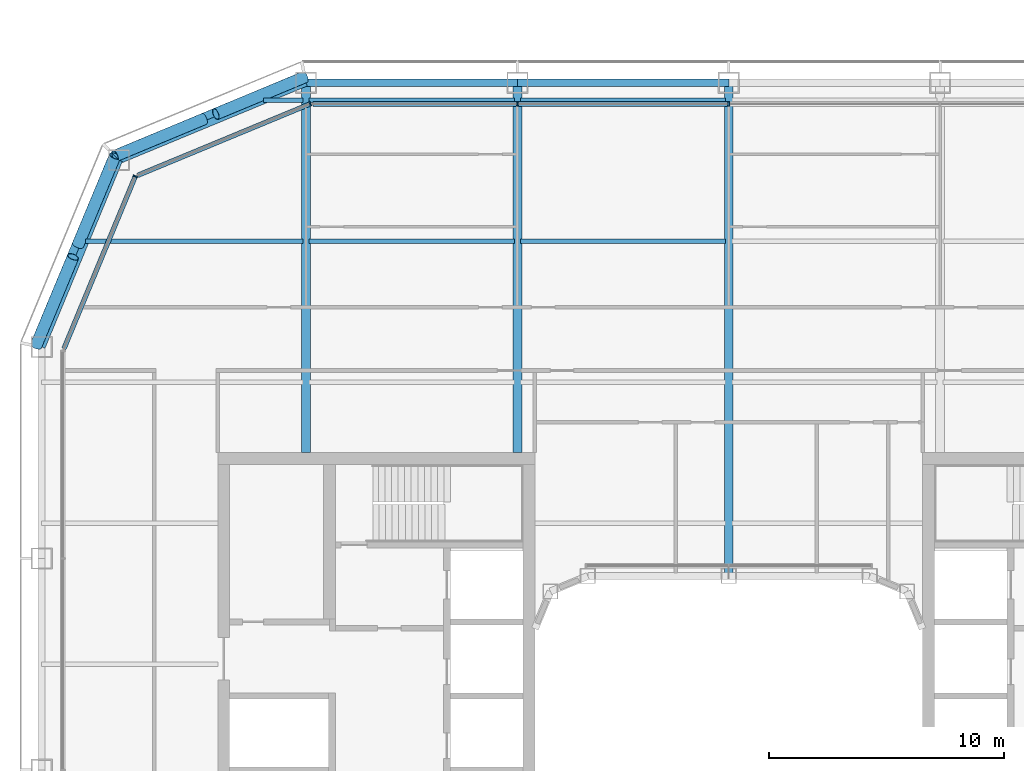
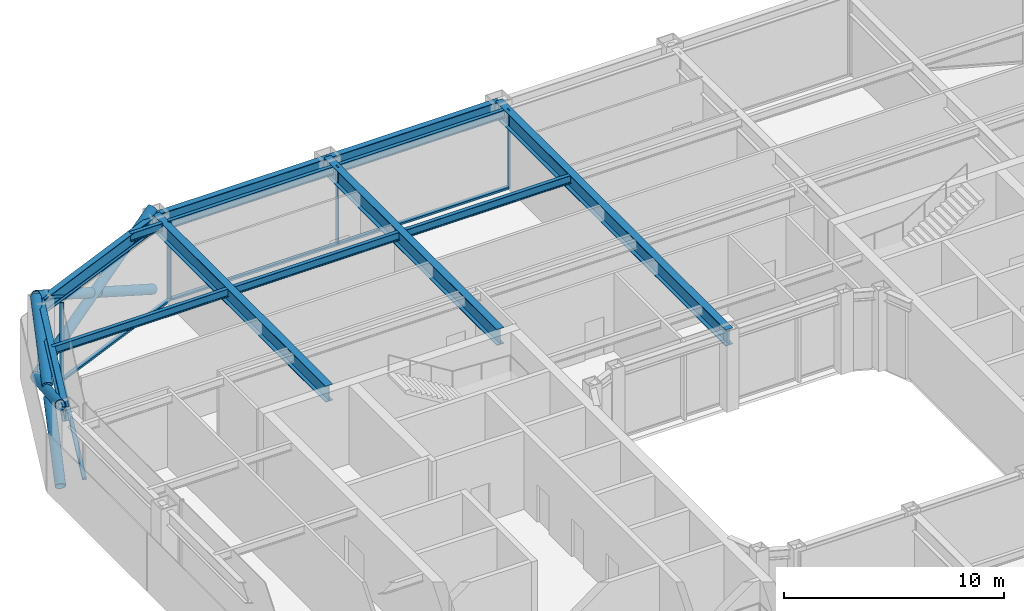
# One storey, part 7 of 24: 14 members, 13 beams, 3 elements without a shape of their own.
"""IFC4 building model written with IfcOpenShell, lengths in metres."""

from ifc_helpers import new_model, si_unit, direction, frame, origin, origin_2d, place, context, subcontext, project, spatial, rectangle, hollow_circle, i_section, extrude, material, layer, layer_set, material_profile, profile_set, type_object, element, aggregate, save


model = new_model("IFC4")

# Units and contexts
model_context = context("Model", 3, precision=1e-05, world=origin(), true_north=direction((0.0, 1.0)))
body_context = subcontext(model_context, "Body", "Model", "MODEL_VIEW")
ifc_project = project(units=[si_unit("LENGTHUNIT", "METRE"), si_unit("AREAUNIT", "SQUARE_METRE"), si_unit("VOLUMEUNIT", "CUBIC_METRE"), si_unit("PLANEANGLEUNIT", "RADIAN"), si_unit("MASSUNIT", "GRAM", prefix="KILO")], contexts=[model_context])

# Site, building, storey
site_placement = place(None, origin())
site = spatial("IfcSite", under=ifc_project, at=site_placement, CompositionType="ELEMENT")
building_placement = place(site_placement, origin())
building = spatial("IfcBuilding", under=site, at=building_placement, Name="Siwar Civic Tower", CompositionType="ELEMENT")
storey_placement = place(building_placement, frame((0.0, 0.0, 149.699951171875)))
storey = spatial("IfcBuildingStorey", under=building, at=storey_placement, Name="L32", CompositionType="ELEMENT", Elevation=149.699951171875)

# Curtain wall, members
ifc_material_1 = material(Name="Aluminium and glass", Category="aluminium")
ifc_layer_1 = layer(ifc_material_1, 0.199951171875)
ifc_layer_set_1 = layer_set([ifc_layer_1], Name="Aluminium and glass")
curtain_wall_type_1 = type_object("IfcCurtainWallType", Name="ENV-CW-B", PredefinedType="NOTDEFINED", material=ifc_layer_set_1)
curtain_wall_1_placement = place(storey_placement, origin())
curtain_wall_1 = element("IfcCurtainWall", 1, at=curtain_wall_1_placement, inside=storey, type_object=curtain_wall_type_1, Name="Curtain wall B N", PredefinedType="NOTDEFINED")
ifc_material_2 = material(Name="Aluminium 6063-T6", Category="aluminium")
ifc_material_profile_1 = material_profile(ifc_material_2, rectangle(XDim=0.199951171875, YDim=0.06494140625, at=origin_2d()), Name="AL 200x65")
ifc_profile_set_1 = profile_set([ifc_material_profile_1], Name="Aluminium 6063-T6")
member_type_1 = type_object("IfcMemberType", Name="ENV-MULLION-B", PredefinedType="MULLION", material=ifc_profile_set_1)
member_1_placement = place(storey_placement, frame((0.0, 28.35009765625, 0.0), z_axis=(0.0, 0.0, 1.0), x_axis=(0.0, -1.0, 0.0)))
member_1 = element("IfcMember", 2, at=member_1_placement, type_object=member_type_1, Name="Mullion B N 3", PredefinedType="MULLION", context=body_context, shape_type="SweptSolid", body=[
    extrude(rectangle(XDim=0.199951171875, YDim=0.06494140625, at=origin_2d()), origin(), (0.0, 0.0, 1.0), 4.35009765625),
])
member_2_placement = place(storey_placement, frame((-9.0, 28.35009765625, 0.0), z_axis=(0.0, 0.0, 1.0), x_axis=(0.0, -1.0, 0.0)))
member_2 = element("IfcMember", 3, at=member_2_placement, type_object=member_type_1, Name="Mullion B N 4", PredefinedType="MULLION", context=body_context, shape_type="SweptSolid", body=[
    extrude(rectangle(XDim=0.199951171875, YDim=0.06494140625, at=origin_2d()), origin(), (0.0, 0.0, 1.0), 4.35009765625),
])

# Curtain wall, member
ifc_material_3 = material(Name="Aluminium clad insulated panel", Category="aluminium")
ifc_layer_2 = layer(ifc_material_3, 0.199951171875)
ifc_layer_set_2 = layer_set([ifc_layer_2], Name="Aluminium clad insulated panel")
curtain_wall_type_2 = type_object("IfcCurtainWallType", Name="ENV-CW-BX", PredefinedType="NOTDEFINED", material=ifc_layer_set_2)
curtain_wall_2_placement = place(storey_placement, origin())
curtain_wall_2 = element("IfcCurtainWall", 4, at=curtain_wall_2_placement, inside=storey, type_object=curtain_wall_type_2, Name="Curtain wall B NW1", PredefinedType="NOTDEFINED")
member_3_placement = place(storey_placement, frame((-17.821044921875, 28.35009765625, 0.0), z_axis=(0.0, 0.0, 1.0), x_axis=(0.382683432365, -0.923879532511, 0.0)))
member_3 = element("IfcMember", 5, at=member_3_placement, type_object=member_type_1, Name="Mullion B NW1 1", PredefinedType="MULLION", context=body_context, shape_type="SweptSolid", body=[
    extrude(rectangle(XDim=0.199951171875, YDim=0.06494140625, at=origin_2d()), origin(), (0.0, 0.0, 1.0), 4.35009765625),
])

curtain_wall_3_placement = place(storey_placement, origin())
curtain_wall_3 = element("IfcCurtainWall", 6, at=curtain_wall_3_placement, inside=storey, type_object=curtain_wall_type_2, Name="Curtain wall B NW2", PredefinedType="NOTDEFINED")
member_4_placement = place(storey_placement, frame((-25.26611328125, 25.26611328125, 0.0), z_axis=(0.0, 0.0, 1.0), x_axis=(0.923879532511, -0.382683432365, 0.0)))
member_4 = element("IfcMember", 7, at=member_4_placement, type_object=member_type_1, Name="Mullion B NW2 1", PredefinedType="MULLION", context=body_context, shape_type="SweptSolid", body=[
    extrude(rectangle(XDim=0.199951171875, YDim=0.06494140625, at=origin_2d()), origin(), (0.0, 0.0, 1.0), 4.35009765625),
])

# Member
ifc_material_4 = material(Name="Aluminium 6063-T6", Category="aluminium")
ifc_material_profile_2 = material_profile(ifc_material_4, rectangle(XDim=0.199951171875, YDim=0.110107421875, at=origin_2d()), Name="AL 200x110")
ifc_profile_set_2 = profile_set([ifc_material_profile_2], Name="Aluminium 6063-T6")
member_type_2 = type_object("IfcMemberType", Name="ENV-TRANSOM-B", PredefinedType="USERDEFINED", material=ifc_profile_set_2)
member_5_placement = place(storey_placement, frame((-0.032470703125, 28.35009765625, 0.054931640625), z_axis=(-1.0, 0.0, 0.0), x_axis=(0.0, -1.0, 0.0)))
member_5 = element("IfcMember", 8, at=member_5_placement, type_object=member_type_2, Name="Transom B N 3", ObjectType="TRANSOM", PredefinedType="USERDEFINED", context=body_context, shape_type="SweptSolid", body=[
    extrude(rectangle(XDim=0.199951171875, YDim=0.110107421875, at=origin_2d()), origin(), (0.0, 0.0, 1.0), 8.93505859375),
])

member_6_placement = place(storey_placement, frame((-9.032470703125, 28.35009765625, 0.054931640625), z_axis=(-1.0, 0.0, 0.0), x_axis=(0.0, -1.0, 0.0)))
member_6 = element("IfcMember", 9, at=member_6_placement, type_object=member_type_2, Name="Transom B N 4", ObjectType="TRANSOM", PredefinedType="USERDEFINED", context=body_context, shape_type="SweptSolid", body=[
    extrude(rectangle(XDim=0.199951171875, YDim=0.110107421875, at=origin_2d()), origin(), (0.0, 0.0, 1.0), 8.6748046875),
])

aggregate(curtain_wall_1, [member_1, member_2, member_5, member_6])

member_7_placement = place(storey_placement, frame((-17.85107421875, 28.337646484375, 0.054931640625), z_axis=(-0.92387279587, -0.382699695651, 0.0), x_axis=(0.382699695651, -0.92387279587, 0.0)))
member_7 = element("IfcMember", 10, at=member_7_placement, type_object=member_type_2, Name="Transom B NW1 1", ObjectType="TRANSOM", PredefinedType="USERDEFINED", context=body_context, shape_type="SweptSolid", body=[
    extrude(rectangle(XDim=0.199951171875, YDim=0.110107421875, at=origin_2d()), origin(), (0.0, 0.0, 1.0), 7.912353515625),
])

aggregate(curtain_wall_2, [member_3, member_7])

member_8_placement = place(storey_placement, frame((-25.278564453125, 25.236083984375, 0.054931640625), z_axis=(-0.382673358825, -0.923883705044, 0.0), x_axis=(0.923883705044, -0.382673358825, 0.0)))
member_8 = element("IfcMember", 11, at=member_8_placement, type_object=member_type_2, Name="Transom B NW2 1", ObjectType="TRANSOM", PredefinedType="USERDEFINED", context=body_context, shape_type="SweptSolid", body=[
    extrude(rectangle(XDim=0.199951171875, YDim=0.110107421875, at=origin_2d()), origin(), (0.0, 0.0, 1.0), 7.912353515625),
])

aggregate(curtain_wall_3, [member_4, member_8])

# Members
ifc_material_5 = material(Name="Steel S355", Category="steel")
ifc_material_profile_3 = material_profile(ifc_material_5, hollow_circle(Radius=0.25390625, WallThickness=0.02490234375, at=origin_2d()), Name="CHS508x25")
ifc_profile_set_3 = profile_set([ifc_material_profile_3], Name="Steel S355")
member_type_3 = type_object("IfcMemberType", Name="STR-BR-CHS508x25", PredefinedType="BRACE", material=ifc_profile_set_3)
member_9_placement = place(storey_placement, frame((-26.1318359375, 26.1318359375, 0.0), z_axis=(-0.341671493852, -0.821142553604, 0.457149315816), x_axis=(0.923264922524, -0.384163874976, 0.0)))
element("IfcMember", 12, at=member_9_placement, inside=storey, type_object=member_type_3, Name="L32/brc/BNW1-11-0-1", PredefinedType="BRACE", context=body_context, shape_type="SweptSolid", body=[
    extrude(hollow_circle(Radius=0.25390625, WallThickness=0.02490234375, at=origin_2d()), origin(), (0.0, 0.0, 1.0), 9.843505859375),
])
for number, where, z_axis, x_axis, name in (
    (13, (-29.4951171875, 18.048828125, 0.0), (0.341677318012, 0.821126041429, 0.457174621391), (-0.923259859753, 0.384176042158, 0.0), "L32/brc/BNW1-11-0-2"),
    (14, (-27.70849609375, 22.342529296875, 2.390625), (0.341670737976, 0.821163134736, 0.457112910516), (-0.923268638995, 0.384154943021, 0.0), "L32/brc/BNW1-11-0-3"),
):
    element("IfcMember", number, at=place(storey_placement, frame(where, z_axis=z_axis, x_axis=x_axis)), inside=storey, type_object=member_type_3, Name=name, PredefinedType="BRACE", context=body_context, shape_type="SweptSolid", body=[
        extrude(hollow_circle(Radius=0.25390625, WallThickness=0.02490234375, at=origin_2d()), origin(), (0.0, 0.0, 1.0), 4.614501953125),
    ])
member_10_placement = place(storey_placement, frame((-26.1318359375, 26.1318359375, 0.0), z_axis=(0.821142553604, 0.341671493852, 0.457149315816), x_axis=(-0.384163874976, 0.923264922524, 0.0)))
element("IfcMember", 15, at=member_10_placement, inside=storey, type_object=member_type_3, Name="L32/brc/BNW1-11-0-0", PredefinedType="BRACE", context=body_context, shape_type="SweptSolid", body=[
    extrude(hollow_circle(Radius=0.25390625, WallThickness=0.02490234375, at=origin_2d()), origin(), (0.0, 0.0, 1.0), 9.843505859375),
])
for number, where, z_axis, x_axis, name in (
    (16, (-18.048828125, 29.4951171875, 0.0), (-0.821126041429, -0.341677318012, 0.457174621391), (0.384176042158, -0.923259859753, 0.0), "L32/brc/BNW1-11-0-4"),
    (17, (-22.342529296875, 27.70849609375, 2.390625), (-0.821163134736, -0.341670737976, 0.457112910516), (0.384154943021, -0.923268638995, 0.0), "L32/brc/BNW1-11-0-5"),
):
    element("IfcMember", number, at=place(storey_placement, frame(where, z_axis=z_axis, x_axis=x_axis)), inside=storey, type_object=member_type_3, Name=name, PredefinedType="BRACE", context=body_context, shape_type="SweptSolid", body=[
        extrude(hollow_circle(Radius=0.25390625, WallThickness=0.02490234375, at=origin_2d()), origin(), (0.0, 0.0, 1.0), 4.614501953125),
    ])

# Beams
ifc_material_6 = material(Name="Steel S355", Category="steel")
ifc_material_profile_4 = material_profile(ifc_material_6, i_section(OverallWidth=0.18994140625, OverallDepth=0.449951171875, WebThickness=0.009521484375, FlangeThickness=0.0146484375, FilletRadius=0.02099609375, at=origin_2d()), Name="IPE450")
ifc_profile_set_4 = profile_set([ifc_material_profile_4], Name="Steel S355")
beam_type_1 = type_object("IfcBeamType", Name="STR-FB-IPE450", PredefinedType="JOIST", material=ifc_profile_set_4)
beam_1_placement = place(storey_placement, frame((-27.385986328125, 22.5, 4.125), z_axis=(1.0, 0.0, 0.0), x_axis=(0.0, 1.0, 0.0)))
element("IfcBeam", 18, at=beam_1_placement, inside=storey, type_object=beam_type_1, Name="L32/bm/F037", PredefinedType="JOIST", context=body_context, shape_type="SweptSolid", body=[
    extrude(i_section(OverallWidth=0.18994140625, OverallDepth=0.449951171875, WebThickness=0.009521484375, FlangeThickness=0.0146484375, FilletRadius=0.02099609375, at=origin_2d()), origin(), (0.0, 0.0, 1.0), 9.256103515625),
])
for number, where, z_axis, x_axis, name in (
    (19, (-17.8701171875, 22.5, 4.125), (1.0, 0.0, 0.0), (0.0, 1.0, 0.0), "L32/bm/F038"),
    (20, (-8.8701171875, 22.5, 4.125), (1.0, 0.0, 0.0), (0.0, 1.0, 0.0), "L32/bm/F039"),
):
    element("IfcBeam", number, at=place(storey_placement, frame(where, z_axis=z_axis, x_axis=x_axis)), inside=storey, type_object=beam_type_1, Name=name, PredefinedType="JOIST", context=body_context, shape_type="SweptSolid", body=[
        extrude(i_section(OverallWidth=0.18994140625, OverallDepth=0.449951171875, WebThickness=0.009521484375, FlangeThickness=0.0146484375, FilletRadius=0.02099609375, at=origin_2d()), origin(), (0.0, 0.0, 1.0), 8.740234375),
    ])
beam_2_placement = place(storey_placement, frame((-19.810546875, 28.5, 4.125), z_axis=(1.0, 0.0, 0.0), x_axis=(0.0, 1.0, 0.0)))
element("IfcBeam", 21, at=beam_2_placement, inside=storey, type_object=beam_type_1, Name="L32/bm/F043", PredefinedType="JOIST", context=body_context, shape_type="SweptSolid", body=[
    extrude(i_section(OverallWidth=0.18994140625, OverallDepth=0.449951171875, WebThickness=0.009521484375, FlangeThickness=0.0146484375, FilletRadius=0.02099609375, at=origin_2d()), origin(), (0.0, 0.0, 1.0), 1.6806640625),
])
for number, where, z_axis, x_axis, name in (
    (22, (-17.8701171875, 28.5, 4.125), (1.0, 0.0, 0.0), (0.0, 1.0, 0.0), "L32/bm/F044"),
    (23, (-8.8701171875, 28.5, 4.125), (1.0, 0.0, 0.0), (0.0, 1.0, 0.0), "L32/bm/F045"),
):
    element("IfcBeam", number, at=place(storey_placement, frame(where, z_axis=z_axis, x_axis=x_axis)), inside=storey, type_object=beam_type_1, Name=name, PredefinedType="JOIST", context=body_context, shape_type="SweptSolid", body=[
        extrude(i_section(OverallWidth=0.18994140625, OverallDepth=0.449951171875, WebThickness=0.009521484375, FlangeThickness=0.0146484375, FilletRadius=0.02099609375, at=origin_2d()), origin(), (0.0, 0.0, 1.0), 8.740234375),
    ])
ifc_material_7 = material(Name="Steel S355", Category="steel")
ifc_material_profile_5 = material_profile(ifc_material_7, i_section(OverallWidth=0.3798828125, OverallDepth=0.89990234375, WebThickness=0.01611328125, FlangeThickness=0.035888671875, at=origin_2d()), Name="PG900x380x16x36")
ifc_profile_set_5 = profile_set([ifc_material_profile_5], Name="Steel S355")
beam_type_2 = type_object("IfcBeamType", Name="STR-PG-PG900x380x16x36", PredefinedType="BEAM", material=ifc_profile_set_5)
for number, where, z_axis, x_axis, name in (
    (24, (-18.0, 13.5, 3.900146484375), (0.0, 1.0, 0.0), (-1.0, 0.0, 0.0), "L32/bm/G02"),
    (25, (-9.0, 13.5, 3.900146484375), (0.0, 1.0, 0.0), (-1.0, 0.0, 0.0), "L32/bm/G04"),
):
    element("IfcBeam", number, at=place(storey_placement, frame(where, z_axis=z_axis, x_axis=x_axis)), inside=storey, type_object=beam_type_2, Name=name, PredefinedType="BEAM", context=body_context, shape_type="SweptSolid", body=[
        extrude(i_section(OverallWidth=0.3798828125, OverallDepth=0.89990234375, WebThickness=0.01611328125, FlangeThickness=0.035888671875, at=origin_2d()), origin(), (0.0, 0.0, 1.0), 15.75),
    ])
beam_3_placement = place(storey_placement, frame((0.0, 8.25, 3.900146484375), z_axis=(0.0, 1.0, 0.0), x_axis=(-1.0, 0.0, 0.0)))
element("IfcBeam", 26, at=beam_3_placement, inside=storey, type_object=beam_type_2, Name="L32/bm/G06", PredefinedType="BEAM", context=body_context, shape_type="SweptSolid", body=[
    extrude(i_section(OverallWidth=0.3798828125, OverallDepth=0.89990234375, WebThickness=0.01611328125, FlangeThickness=0.035888671875, at=origin_2d()), origin(), (0.0, 0.0, 1.0), 21.0),
])
ifc_material_8 = material(Name="Steel S355", Category="steel")
ifc_material_profile_6 = material_profile(ifc_material_8, i_section(OverallWidth=0.300048828125, OverallDepth=0.800048828125, WebThickness=0.017578125, FlangeThickness=0.032958984375, FilletRadius=0.030029296875, at=origin_2d()), Name="HEB800")
ifc_profile_set_6 = profile_set([ifc_material_profile_6], Name="Steel S355")
beam_type_3 = type_object("IfcBeamType", Name="STR-SB-HEB800", PredefinedType="BEAM", material=ifc_profile_set_6)
for number, where, z_axis, x_axis, name in (
    (27, (0.0, 29.25, 3.949951171875), (-1.0, 0.0, 0.0), (0.0, -1.0, 0.0), "L32/bm/SN-2"),
    (28, (-9.0, 29.25, 3.949951171875), (-1.0, 0.0, 0.0), (0.0, -1.0, 0.0), "L32/bm/SN-3"),
):
    element("IfcBeam", number, at=place(storey_placement, frame(where, z_axis=z_axis, x_axis=x_axis)), inside=storey, type_object=beam_type_3, Name=name, PredefinedType="BEAM", context=body_context, shape_type="SweptSolid", body=[
        extrude(i_section(OverallWidth=0.300048828125, OverallDepth=0.800048828125, WebThickness=0.017578125, FlangeThickness=0.032958984375, FilletRadius=0.030029296875, at=origin_2d()), origin(), (0.0, 0.0, 1.0), 9.0),
    ])
for number, where, z_axis, x_axis, name in (
    (29, (-18.0, 29.25, 3.949951171875), (-0.923872720536, -0.382699877515, 0.0), (0.382699877515, -0.923872720536, 0.0), "L32/bm/SNW1-0"),
    (30, (-25.954833984375, 25.954833984375, 3.949951171875), (-0.382699877515, -0.923872720536, 0.0), (0.923872720536, -0.382699877515, 0.0), "L32/bm/SNW2-0"),
):
    element("IfcBeam", number, at=place(storey_placement, frame(where, z_axis=z_axis, x_axis=x_axis)), inside=storey, type_object=beam_type_3, Name=name, PredefinedType="BEAM", context=body_context, shape_type="SweptSolid", body=[
        extrude(i_section(OverallWidth=0.300048828125, OverallDepth=0.800048828125, WebThickness=0.017578125, FlangeThickness=0.032958984375, FilletRadius=0.030029296875, at=origin_2d()), origin(), (0.0, 0.0, 1.0), 8.6103515625),
    ])

save(model, "model.ifc")
